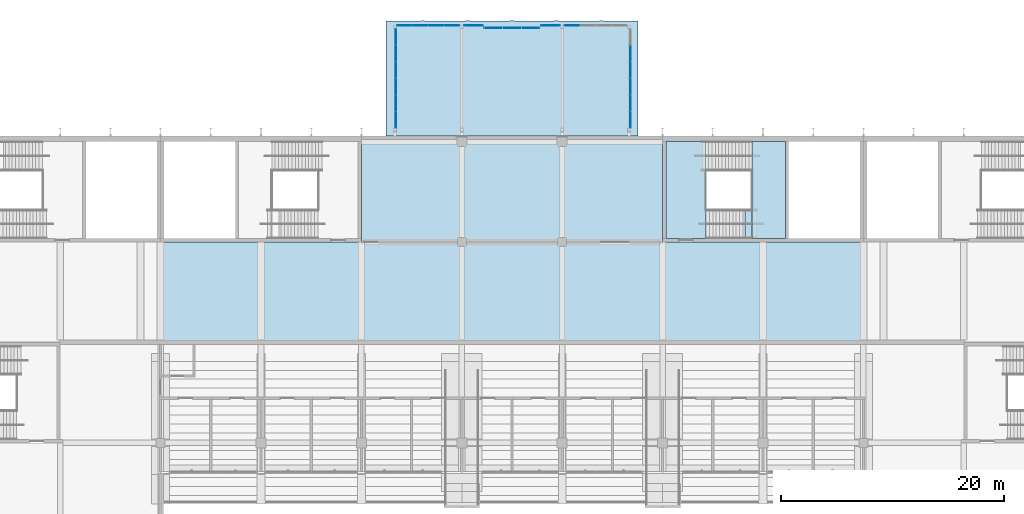
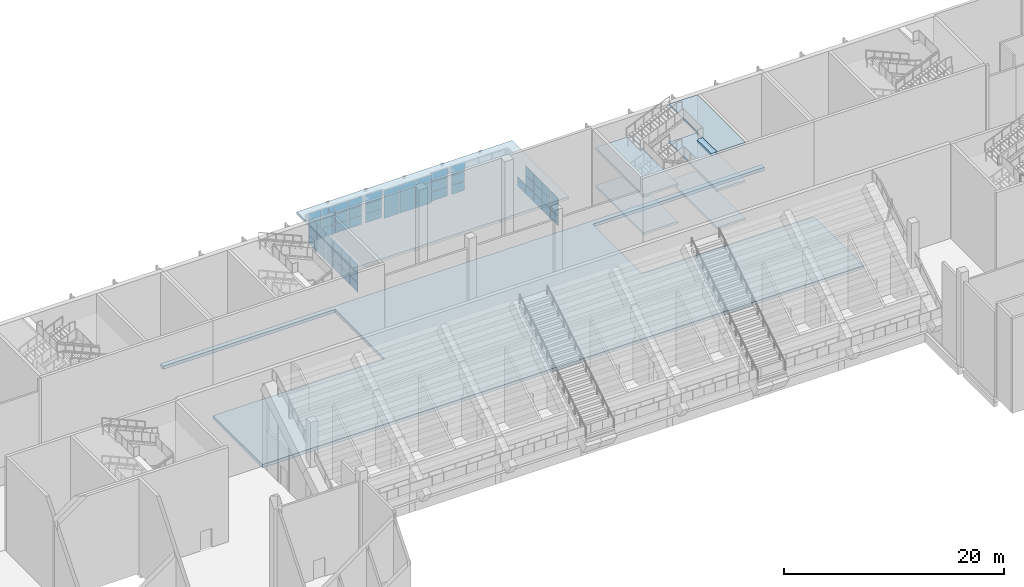
# One storey, part 78 of 182: 55 plates, 8 slabs, 8 elements without a shape of their own.
"""IFC4 building model written with IfcOpenShell, lengths in metres."""

from ifc_helpers import new_model, si_unit, direction, frame, origin, origin_2d, place, context, subcontext, project, spatial, polyline, rectangle, outline, extrude, material, layer, layer_set, type_object, element, aggregate, save


model = new_model("IFC4")

# Units and contexts
model_context = context("Model", 3, precision=1e-05, world=origin(), true_north=direction((0.0, 1.0)))
body_context = subcontext(model_context, "Body", "Model", "MODEL_VIEW")
ifc_project = project(units=[si_unit("LENGTHUNIT", "METRE"), si_unit("AREAUNIT", "SQUARE_METRE"), si_unit("VOLUMEUNIT", "CUBIC_METRE"), si_unit("PLANEANGLEUNIT", "RADIAN"), si_unit("MASSUNIT", "GRAM", prefix="KILO")], contexts=[model_context])

# Site, building, storey
site_placement = place(None, origin())
site = spatial("IfcSite", under=ifc_project, at=site_placement, CompositionType="ELEMENT")
building_placement = place(site_placement, origin())
building = spatial("IfcBuilding", under=site, at=building_placement, Name="Silverbay Arena", CompositionType="ELEMENT")
storey_placement = place(building_placement, frame((0.0, 0.0, 11.5)))
storey = spatial("IfcBuildingStorey", under=building, at=storey_placement, Name="L02", CompositionType="ELEMENT", Elevation=11.5)

# Curtain wall, plates
ifc_material_1 = material(Name="Aluminium framed curtain wall", Category="aluminium")
curtain_wall_type_1 = type_object("IfcCurtainWallType", Name="Curtain wall 5700 x 3200", PredefinedType="NOTDEFINED", material=ifc_material_1)
curtain_wall_1_placement = place(storey_placement, origin())
curtain_wall_1 = element("IfcCurtainWall", 1, at=curtain_wall_1_placement, inside=storey, type_object=curtain_wall_type_1, Name="North entrance hall N1 glazing F0", PredefinedType="NOTDEFINED")
ifc_material_2 = material(Name="Laminated glass", Category="glass")
ifc_layer_1 = layer(ifc_material_2, 0.028076171875)
ifc_layer_set_1 = layer_set([ifc_layer_1], Name="Laminated glass")
plate_type = type_object("IfcPlateType", Name="Glass panel 28", PredefinedType="CURTAIN_PANEL", material=ifc_layer_set_1)
plate_1_placement = place(storey_placement, frame((120.87744140625, 154.409912109375, 0.050048828125), z_axis=(0.0, 0.0, 1.0), x_axis=(1.0, 0.0, 0.0)))
plate_1 = element("IfcPlate", 2, at=plate_1_placement, type_object=plate_type, Name="CW43 panel 1.1", PredefinedType="CURTAIN_PANEL", context=body_context, shape_type="SweptSolid", body=[
    extrude(rectangle(XDim=1.3349609375, YDim=0.028076171875, at=origin_2d()), origin(), (0.0, 0.0, 1.0), 0.99169921875),
])
plate_2_placement = place(storey_placement, frame((120.87744140625, 154.409912109375, 1.091796875), z_axis=(0.0, 0.0, 1.0), x_axis=(1.0, 0.0, 0.0)))
plate_2 = element("IfcPlate", 3, at=plate_2_placement, type_object=plate_type, Name="CW43 panel 1.2", PredefinedType="CURTAIN_PANEL", context=body_context, shape_type="SweptSolid", body=[
    extrude(rectangle(XDim=1.3349609375, YDim=0.028076171875, at=origin_2d()), origin(), (0.0, 0.0, 1.0), 1.0166015625),
])
plate_3_placement = place(storey_placement, frame((120.87744140625, 154.409912109375, 2.158203125), z_axis=(0.0, 0.0, 1.0), x_axis=(1.0, 0.0, 0.0)))
plate_3 = element("IfcPlate", 4, at=plate_3_placement, type_object=plate_type, Name="CW43 panel 1.3", PredefinedType="CURTAIN_PANEL", context=body_context, shape_type="SweptSolid", body=[
    extrude(rectangle(XDim=1.3349609375, YDim=0.028076171875, at=origin_2d()), origin(), (0.0, 0.0, 1.0), 0.99169921875),
])
plate_4_placement = place(storey_placement, frame((122.28759765625, 154.409912109375, 0.050048828125), z_axis=(0.0, 0.0, 1.0), x_axis=(1.0, 0.0, 0.0)))
plate_4 = element("IfcPlate", 5, at=plate_4_placement, type_object=plate_type, Name="CW43 panel 2.1", PredefinedType="CURTAIN_PANEL", context=body_context, shape_type="SweptSolid", body=[
    extrude(rectangle(XDim=1.364990234375, YDim=0.028076171875, at=origin_2d()), origin(), (0.0, 0.0, 1.0), 0.99169921875),
])
plate_5_placement = place(storey_placement, frame((122.28759765625, 154.409912109375, 1.091796875), z_axis=(0.0, 0.0, 1.0), x_axis=(1.0, 0.0, 0.0)))
plate_5 = element("IfcPlate", 6, at=plate_5_placement, type_object=plate_type, Name="CW43 panel 2.2", PredefinedType="CURTAIN_PANEL", context=body_context, shape_type="SweptSolid", body=[
    extrude(rectangle(XDim=1.364990234375, YDim=0.028076171875, at=origin_2d()), origin(), (0.0, 0.0, 1.0), 1.0166015625),
])
plate_6_placement = place(storey_placement, frame((122.28759765625, 154.409912109375, 2.158203125), z_axis=(0.0, 0.0, 1.0), x_axis=(1.0, 0.0, 0.0)))
plate_6 = element("IfcPlate", 7, at=plate_6_placement, type_object=plate_type, Name="CW43 panel 2.3", PredefinedType="CURTAIN_PANEL", context=body_context, shape_type="SweptSolid", body=[
    extrude(rectangle(XDim=1.364990234375, YDim=0.028076171875, at=origin_2d()), origin(), (0.0, 0.0, 1.0), 0.99169921875),
])
plate_7_placement = place(storey_placement, frame((123.71240234375, 154.409912109375, 0.050048828125), z_axis=(0.0, 0.0, 1.0), x_axis=(1.0, 0.0, 0.0)))
plate_7 = element("IfcPlate", 8, at=plate_7_placement, type_object=plate_type, Name="CW43 panel 3.1", PredefinedType="CURTAIN_PANEL", context=body_context, shape_type="SweptSolid", body=[
    extrude(rectangle(XDim=1.364990234375, YDim=0.028076171875, at=origin_2d()), origin(), (0.0, 0.0, 1.0), 0.99169921875),
])
plate_8_placement = place(storey_placement, frame((123.71240234375, 154.409912109375, 1.091796875), z_axis=(0.0, 0.0, 1.0), x_axis=(1.0, 0.0, 0.0)))
plate_8 = element("IfcPlate", 9, at=plate_8_placement, type_object=plate_type, Name="CW43 panel 3.2", PredefinedType="CURTAIN_PANEL", context=body_context, shape_type="SweptSolid", body=[
    extrude(rectangle(XDim=1.364990234375, YDim=0.028076171875, at=origin_2d()), origin(), (0.0, 0.0, 1.0), 1.0166015625),
])
plate_9_placement = place(storey_placement, frame((123.71240234375, 154.409912109375, 2.158203125), z_axis=(0.0, 0.0, 1.0), x_axis=(1.0, 0.0, 0.0)))
plate_9 = element("IfcPlate", 10, at=plate_9_placement, type_object=plate_type, Name="CW43 panel 3.3", PredefinedType="CURTAIN_PANEL", context=body_context, shape_type="SweptSolid", body=[
    extrude(rectangle(XDim=1.364990234375, YDim=0.028076171875, at=origin_2d()), origin(), (0.0, 0.0, 1.0), 0.99169921875),
])
plate_10_placement = place(storey_placement, frame((125.12255859375, 154.409912109375, 0.050048828125), z_axis=(0.0, 0.0, 1.0), x_axis=(1.0, 0.0, 0.0)))
plate_10 = element("IfcPlate", 11, at=plate_10_placement, type_object=plate_type, Name="CW43 panel 4.1", PredefinedType="CURTAIN_PANEL", context=body_context, shape_type="SweptSolid", body=[
    extrude(rectangle(XDim=1.3349609375, YDim=0.028076171875, at=origin_2d()), origin(), (0.0, 0.0, 1.0), 0.99169921875),
])
plate_11_placement = place(storey_placement, frame((125.12255859375, 154.409912109375, 1.091796875), z_axis=(0.0, 0.0, 1.0), x_axis=(1.0, 0.0, 0.0)))
plate_11 = element("IfcPlate", 12, at=plate_11_placement, type_object=plate_type, Name="CW43 panel 4.2", PredefinedType="CURTAIN_PANEL", context=body_context, shape_type="SweptSolid", body=[
    extrude(rectangle(XDim=1.3349609375, YDim=0.028076171875, at=origin_2d()), origin(), (0.0, 0.0, 1.0), 1.0166015625),
])
plate_12_placement = place(storey_placement, frame((125.12255859375, 154.409912109375, 2.158203125), z_axis=(0.0, 0.0, 1.0), x_axis=(1.0, 0.0, 0.0)))
plate_12 = element("IfcPlate", 13, at=plate_12_placement, type_object=plate_type, Name="CW43 panel 4.3", PredefinedType="CURTAIN_PANEL", context=body_context, shape_type="SweptSolid", body=[
    extrude(rectangle(XDim=1.3349609375, YDim=0.028076171875, at=origin_2d()), origin(), (0.0, 0.0, 1.0), 0.99169921875),
])
aggregate(curtain_wall_1, [plate_1, plate_2, plate_3, plate_4, plate_5, plate_6, plate_7, plate_8, plate_9, plate_10, plate_11, plate_12])

ifc_material_3 = material(Name="Aluminium framed curtain wall", Category="aluminium")
curtain_wall_type_2 = type_object("IfcCurtainWallType", Name="Curtain wall 1800 x 3200", PredefinedType="NOTDEFINED", material=ifc_material_3)
curtain_wall_2_placement = place(storey_placement, origin())
curtain_wall_2 = element("IfcCurtainWall", 14, at=curtain_wall_2_placement, inside=storey, type_object=curtain_wall_type_2, Name="North entrance hall N1 glazing F1a", PredefinedType="NOTDEFINED")
plate_13_placement = place(storey_placement, frame((127.050048828125, 154.409912109375, 0.050048828125), z_axis=(0.0, 0.0, 1.0), x_axis=(1.0, 0.0, 0.0)))
plate_13 = element("IfcPlate", 15, at=plate_13_placement, type_object=plate_type, Name="CW45 panel 1.1", PredefinedType="CURTAIN_PANEL", context=body_context, shape_type="SweptSolid", body=[
    extrude(rectangle(XDim=1.679931640625, YDim=0.028076171875, at=origin_2d()), origin(), (0.0, 0.0, 1.0), 0.99169921875),
])
plate_14_placement = place(storey_placement, frame((127.050048828125, 154.409912109375, 1.091796875), z_axis=(0.0, 0.0, 1.0), x_axis=(1.0, 0.0, 0.0)))
plate_14 = element("IfcPlate", 16, at=plate_14_placement, type_object=plate_type, Name="CW45 panel 1.2", PredefinedType="CURTAIN_PANEL", context=body_context, shape_type="SweptSolid", body=[
    extrude(rectangle(XDim=1.679931640625, YDim=0.028076171875, at=origin_2d()), origin(), (0.0, 0.0, 1.0), 1.0166015625),
])
plate_15_placement = place(storey_placement, frame((127.050048828125, 154.409912109375, 2.158203125), z_axis=(0.0, 0.0, 1.0), x_axis=(1.0, 0.0, 0.0)))
plate_15 = element("IfcPlate", 17, at=plate_15_placement, type_object=plate_type, Name="CW45 panel 1.3", PredefinedType="CURTAIN_PANEL", context=body_context, shape_type="SweptSolid", body=[
    extrude(rectangle(XDim=1.679931640625, YDim=0.028076171875, at=origin_2d()), origin(), (0.0, 0.0, 1.0), 0.99169921875),
])
aggregate(curtain_wall_2, [plate_13, plate_14, plate_15])

curtain_wall_3_placement = place(storey_placement, origin())
curtain_wall_3 = element("IfcCurtainWall", 18, at=curtain_wall_3_placement, inside=storey, type_object=curtain_wall_type_2, Name="North entrance hall N1 glazing F1b", PredefinedType="NOTDEFINED")
plate_16_placement = place(storey_placement, frame((133.949951171875, 154.409912109375, 0.050048828125), z_axis=(0.0, 0.0, 1.0), x_axis=(1.0, 0.0, 0.0)))
plate_16 = element("IfcPlate", 19, at=plate_16_placement, type_object=plate_type, Name="CW45 panel 1.1", PredefinedType="CURTAIN_PANEL", context=body_context, shape_type="SweptSolid", body=[
    extrude(rectangle(XDim=1.679931640625, YDim=0.028076171875, at=origin_2d()), origin(), (0.0, 0.0, 1.0), 0.99169921875),
])
plate_17_placement = place(storey_placement, frame((133.949951171875, 154.409912109375, 1.091796875), z_axis=(0.0, 0.0, 1.0), x_axis=(1.0, 0.0, 0.0)))
plate_17 = element("IfcPlate", 20, at=plate_17_placement, type_object=plate_type, Name="CW45 panel 1.2", PredefinedType="CURTAIN_PANEL", context=body_context, shape_type="SweptSolid", body=[
    extrude(rectangle(XDim=1.679931640625, YDim=0.028076171875, at=origin_2d()), origin(), (0.0, 0.0, 1.0), 1.0166015625),
])
plate_18_placement = place(storey_placement, frame((133.949951171875, 154.409912109375, 2.158203125), z_axis=(0.0, 0.0, 1.0), x_axis=(1.0, 0.0, 0.0)))
plate_18 = element("IfcPlate", 21, at=plate_18_placement, type_object=plate_type, Name="CW45 panel 1.3", PredefinedType="CURTAIN_PANEL", context=body_context, shape_type="SweptSolid", body=[
    extrude(rectangle(XDim=1.679931640625, YDim=0.028076171875, at=origin_2d()), origin(), (0.0, 0.0, 1.0), 0.99169921875),
])
aggregate(curtain_wall_3, [plate_16, plate_17, plate_18])

curtain_wall_4_placement = place(storey_placement, origin())
curtain_wall_4 = element("IfcCurtainWall", 22, at=curtain_wall_4_placement, inside=storey, type_object=curtain_wall_type_1, Name="North entrance hall N1 glazing F2", PredefinedType="NOTDEFINED")
plate_19_placement = place(storey_placement, frame((135.87744140625, 154.409912109375, 0.050048828125), z_axis=(0.0, 0.0, 1.0), x_axis=(1.0, 0.0, 0.0)))
plate_19 = element("IfcPlate", 23, at=plate_19_placement, type_object=plate_type, Name="CW43 panel 1.1", PredefinedType="CURTAIN_PANEL", context=body_context, shape_type="SweptSolid", body=[
    extrude(rectangle(XDim=1.3349609375, YDim=0.028076171875, at=origin_2d()), origin(), (0.0, 0.0, 1.0), 0.99169921875),
])
plate_20_placement = place(storey_placement, frame((135.87744140625, 154.409912109375, 1.091796875), z_axis=(0.0, 0.0, 1.0), x_axis=(1.0, 0.0, 0.0)))
plate_20 = element("IfcPlate", 24, at=plate_20_placement, type_object=plate_type, Name="CW43 panel 1.2", PredefinedType="CURTAIN_PANEL", context=body_context, shape_type="SweptSolid", body=[
    extrude(rectangle(XDim=1.3349609375, YDim=0.028076171875, at=origin_2d()), origin(), (0.0, 0.0, 1.0), 1.0166015625),
])
plate_21_placement = place(storey_placement, frame((135.87744140625, 154.409912109375, 2.158203125), z_axis=(0.0, 0.0, 1.0), x_axis=(1.0, 0.0, 0.0)))
plate_21 = element("IfcPlate", 25, at=plate_21_placement, type_object=plate_type, Name="CW43 panel 1.3", PredefinedType="CURTAIN_PANEL", context=body_context, shape_type="SweptSolid", body=[
    extrude(rectangle(XDim=1.3349609375, YDim=0.028076171875, at=origin_2d()), origin(), (0.0, 0.0, 1.0), 0.99169921875),
])
aggregate(curtain_wall_4, [plate_19, plate_20, plate_21])

ifc_material_4 = material(Name="Aluminium framed curtain wall", Category="aluminium")
curtain_wall_type_3 = type_object("IfcCurtainWallType", Name="Curtain wall 8950 x 3200", PredefinedType="NOTDEFINED", material=ifc_material_4)
curtain_wall_5_placement = place(storey_placement, origin())
curtain_wall_5 = element("IfcCurtainWall", 26, at=curtain_wall_5_placement, inside=storey, type_object=curtain_wall_type_3, Name="North entrance hall N1 glazing SA", PredefinedType="NOTDEFINED")
plate_22_placement = place(storey_placement, frame((120.110107421875, 153.38916015625, 0.050048828125), z_axis=(0.0, 0.0, 1.0), x_axis=(0.0, -1.0, 0.0)))
plate_22 = element("IfcPlate", 27, at=plate_22_placement, type_object=plate_type, Name="CW47 panel 1.1", PredefinedType="CURTAIN_PANEL", context=body_context, shape_type="SweptSolid", body=[
    extrude(rectangle(XDim=1.401611328125, YDim=0.028076171875, at=origin_2d()), origin(), (0.0, 0.0, 1.0), 0.99169921875),
])
plate_23_placement = place(storey_placement, frame((120.110107421875, 153.38916015625, 1.091796875), z_axis=(0.0, 0.0, 1.0), x_axis=(0.0, -1.0, 0.0)))
plate_23 = element("IfcPlate", 28, at=plate_23_placement, type_object=plate_type, Name="CW47 panel 1.2", PredefinedType="CURTAIN_PANEL", context=body_context, shape_type="SweptSolid", body=[
    extrude(rectangle(XDim=1.401611328125, YDim=0.028076171875, at=origin_2d()), origin(), (0.0, 0.0, 1.0), 1.0166015625),
])
plate_24_placement = place(storey_placement, frame((120.110107421875, 153.38916015625, 2.158203125), z_axis=(0.0, 0.0, 1.0), x_axis=(0.0, -1.0, 0.0)))
plate_24 = element("IfcPlate", 29, at=plate_24_placement, type_object=plate_type, Name="CW47 panel 1.3", PredefinedType="CURTAIN_PANEL", context=body_context, shape_type="SweptSolid", body=[
    extrude(rectangle(XDim=1.401611328125, YDim=0.028076171875, at=origin_2d()), origin(), (0.0, 0.0, 1.0), 0.99169921875),
])
plate_25_placement = place(storey_placement, frame((120.110107421875, 151.91259765625, 0.050048828125), z_axis=(0.0, 0.0, 1.0), x_axis=(0.0, -1.0, 0.0)))
plate_25 = element("IfcPlate", 30, at=plate_25_placement, type_object=plate_type, Name="CW47 panel 2.1", PredefinedType="CURTAIN_PANEL", context=body_context, shape_type="SweptSolid", body=[
    extrude(rectangle(XDim=1.431640625, YDim=0.028076171875, at=origin_2d()), origin(), (0.0, 0.0, 1.0), 0.99169921875),
])
plate_26_placement = place(storey_placement, frame((120.110107421875, 151.91259765625, 1.091796875), z_axis=(0.0, 0.0, 1.0), x_axis=(0.0, -1.0, 0.0)))
plate_26 = element("IfcPlate", 31, at=plate_26_placement, type_object=plate_type, Name="CW47 panel 2.2", PredefinedType="CURTAIN_PANEL", context=body_context, shape_type="SweptSolid", body=[
    extrude(rectangle(XDim=1.431640625, YDim=0.028076171875, at=origin_2d()), origin(), (0.0, 0.0, 1.0), 1.0166015625),
])
plate_27_placement = place(storey_placement, frame((120.110107421875, 151.91259765625, 2.158203125), z_axis=(0.0, 0.0, 1.0), x_axis=(0.0, -1.0, 0.0)))
plate_27 = element("IfcPlate", 32, at=plate_27_placement, type_object=plate_type, Name="CW47 panel 2.3", PredefinedType="CURTAIN_PANEL", context=body_context, shape_type="SweptSolid", body=[
    extrude(rectangle(XDim=1.431640625, YDim=0.028076171875, at=origin_2d()), origin(), (0.0, 0.0, 1.0), 0.99169921875),
])
plate_28_placement = place(storey_placement, frame((120.110107421875, 150.4208984375, 0.050048828125), z_axis=(0.0, 0.0, 1.0), x_axis=(0.0, -1.0, 0.0)))
plate_28 = element("IfcPlate", 33, at=plate_28_placement, type_object=plate_type, Name="CW47 panel 3.1", PredefinedType="CURTAIN_PANEL", context=body_context, shape_type="SweptSolid", body=[
    extrude(rectangle(XDim=1.431640625, YDim=0.028076171875, at=origin_2d()), origin(), (0.0, 0.0, 1.0), 0.99169921875),
])
plate_29_placement = place(storey_placement, frame((120.110107421875, 150.4208984375, 1.091796875), z_axis=(0.0, 0.0, 1.0), x_axis=(0.0, -1.0, 0.0)))
plate_29 = element("IfcPlate", 34, at=plate_29_placement, type_object=plate_type, Name="CW47 panel 3.2", PredefinedType="CURTAIN_PANEL", context=body_context, shape_type="SweptSolid", body=[
    extrude(rectangle(XDim=1.431640625, YDim=0.028076171875, at=origin_2d()), origin(), (0.0, 0.0, 1.0), 1.0166015625),
])
plate_30_placement = place(storey_placement, frame((120.110107421875, 150.4208984375, 2.158203125), z_axis=(0.0, 0.0, 1.0), x_axis=(0.0, -1.0, 0.0)))
plate_30 = element("IfcPlate", 35, at=plate_30_placement, type_object=plate_type, Name="CW47 panel 3.3", PredefinedType="CURTAIN_PANEL", context=body_context, shape_type="SweptSolid", body=[
    extrude(rectangle(XDim=1.431640625, YDim=0.028076171875, at=origin_2d()), origin(), (0.0, 0.0, 1.0), 0.99169921875),
])
plate_31_placement = place(storey_placement, frame((120.110107421875, 148.92919921875, 0.050048828125), z_axis=(0.0, 0.0, 1.0), x_axis=(0.0, -1.0, 0.0)))
plate_31 = element("IfcPlate", 36, at=plate_31_placement, type_object=plate_type, Name="CW47 panel 4.1", PredefinedType="CURTAIN_PANEL", context=body_context, shape_type="SweptSolid", body=[
    extrude(rectangle(XDim=1.431640625, YDim=0.028076171875, at=origin_2d()), origin(), (0.0, 0.0, 1.0), 0.99169921875),
])
plate_32_placement = place(storey_placement, frame((120.110107421875, 148.92919921875, 1.091796875), z_axis=(0.0, 0.0, 1.0), x_axis=(0.0, -1.0, 0.0)))
plate_32 = element("IfcPlate", 37, at=plate_32_placement, type_object=plate_type, Name="CW47 panel 4.2", PredefinedType="CURTAIN_PANEL", context=body_context, shape_type="SweptSolid", body=[
    extrude(rectangle(XDim=1.431640625, YDim=0.028076171875, at=origin_2d()), origin(), (0.0, 0.0, 1.0), 1.0166015625),
])
plate_33_placement = place(storey_placement, frame((120.110107421875, 148.92919921875, 2.158203125), z_axis=(0.0, 0.0, 1.0), x_axis=(0.0, -1.0, 0.0)))
plate_33 = element("IfcPlate", 38, at=plate_33_placement, type_object=plate_type, Name="CW47 panel 4.3", PredefinedType="CURTAIN_PANEL", context=body_context, shape_type="SweptSolid", body=[
    extrude(rectangle(XDim=1.431640625, YDim=0.028076171875, at=origin_2d()), origin(), (0.0, 0.0, 1.0), 0.99169921875),
])
plate_34_placement = place(storey_placement, frame((120.110107421875, 147.4375, 0.050048828125), z_axis=(0.0, 0.0, 1.0), x_axis=(0.0, -1.0, 0.0)))
plate_34 = element("IfcPlate", 39, at=plate_34_placement, type_object=plate_type, Name="CW47 panel 5.1", PredefinedType="CURTAIN_PANEL", context=body_context, shape_type="SweptSolid", body=[
    extrude(rectangle(XDim=1.431640625, YDim=0.028076171875, at=origin_2d()), origin(), (0.0, 0.0, 1.0), 0.99169921875),
])
plate_35_placement = place(storey_placement, frame((120.110107421875, 147.4375, 1.091796875), z_axis=(0.0, 0.0, 1.0), x_axis=(0.0, -1.0, 0.0)))
plate_35 = element("IfcPlate", 40, at=plate_35_placement, type_object=plate_type, Name="CW47 panel 5.2", PredefinedType="CURTAIN_PANEL", context=body_context, shape_type="SweptSolid", body=[
    extrude(rectangle(XDim=1.431640625, YDim=0.028076171875, at=origin_2d()), origin(), (0.0, 0.0, 1.0), 1.0166015625),
])
plate_36_placement = place(storey_placement, frame((120.110107421875, 147.4375, 2.158203125), z_axis=(0.0, 0.0, 1.0), x_axis=(0.0, -1.0, 0.0)))
plate_36 = element("IfcPlate", 41, at=plate_36_placement, type_object=plate_type, Name="CW47 panel 5.3", PredefinedType="CURTAIN_PANEL", context=body_context, shape_type="SweptSolid", body=[
    extrude(rectangle(XDim=1.431640625, YDim=0.028076171875, at=origin_2d()), origin(), (0.0, 0.0, 1.0), 0.99169921875),
])
plate_37_placement = place(storey_placement, frame((120.110107421875, 145.9609375, 0.050048828125), z_axis=(0.0, 0.0, 1.0), x_axis=(0.0, -1.0, 0.0)))
plate_37 = element("IfcPlate", 42, at=plate_37_placement, type_object=plate_type, Name="CW47 panel 6.1", PredefinedType="CURTAIN_PANEL", context=body_context, shape_type="SweptSolid", body=[
    extrude(rectangle(XDim=1.401611328125, YDim=0.028076171875, at=origin_2d()), origin(), (0.0, 0.0, 1.0), 0.99169921875),
])
plate_38_placement = place(storey_placement, frame((120.110107421875, 145.9609375, 1.091796875), z_axis=(0.0, 0.0, 1.0), x_axis=(0.0, -1.0, 0.0)))
plate_38 = element("IfcPlate", 43, at=plate_38_placement, type_object=plate_type, Name="CW47 panel 6.2", PredefinedType="CURTAIN_PANEL", context=body_context, shape_type="SweptSolid", body=[
    extrude(rectangle(XDim=1.401611328125, YDim=0.028076171875, at=origin_2d()), origin(), (0.0, 0.0, 1.0), 1.0166015625),
])
plate_39_placement = place(storey_placement, frame((120.110107421875, 145.9609375, 2.158203125), z_axis=(0.0, 0.0, 1.0), x_axis=(0.0, -1.0, 0.0)))
plate_39 = element("IfcPlate", 44, at=plate_39_placement, type_object=plate_type, Name="CW47 panel 6.3", PredefinedType="CURTAIN_PANEL", context=body_context, shape_type="SweptSolid", body=[
    extrude(rectangle(XDim=1.401611328125, YDim=0.028076171875, at=origin_2d()), origin(), (0.0, 0.0, 1.0), 0.99169921875),
])
aggregate(curtain_wall_5, [plate_22, plate_23, plate_24, plate_25, plate_26, plate_27, plate_28, plate_29, plate_30, plate_31, plate_32, plate_33, plate_34, plate_35, plate_36, plate_37, plate_38, plate_39])

curtain_wall_6_placement = place(storey_placement, origin())
curtain_wall_6 = element("IfcCurtainWall", 45, at=curtain_wall_6_placement, inside=storey, type_object=curtain_wall_type_3, Name="North entrance hall N1 glazing SB", PredefinedType="NOTDEFINED")
plate_40_placement = place(storey_placement, frame((141.110107421875, 151.91259765625, 0.050048828125), z_axis=(0.0, 0.0, 1.0), x_axis=(0.0, -1.0, 0.0)))
plate_40 = element("IfcPlate", 46, at=plate_40_placement, type_object=plate_type, Name="CW47 panel 2.1", PredefinedType="CURTAIN_PANEL", context=body_context, shape_type="SweptSolid", body=[
    extrude(rectangle(XDim=1.431640625, YDim=0.028076171875, at=origin_2d()), origin(), (0.0, 0.0, 1.0), 0.99169921875),
])
plate_41_placement = place(storey_placement, frame((141.110107421875, 150.4208984375, 0.050048828125), z_axis=(0.0, 0.0, 1.0), x_axis=(0.0, -1.0, 0.0)))
plate_41 = element("IfcPlate", 47, at=plate_41_placement, type_object=plate_type, Name="CW47 panel 3.1", PredefinedType="CURTAIN_PANEL", context=body_context, shape_type="SweptSolid", body=[
    extrude(rectangle(XDim=1.431640625, YDim=0.028076171875, at=origin_2d()), origin(), (0.0, 0.0, 1.0), 0.99169921875),
])
plate_42_placement = place(storey_placement, frame((141.110107421875, 150.4208984375, 1.091796875), z_axis=(0.0, 0.0, 1.0), x_axis=(0.0, -1.0, 0.0)))
plate_42 = element("IfcPlate", 48, at=plate_42_placement, type_object=plate_type, Name="CW47 panel 3.2", PredefinedType="CURTAIN_PANEL", context=body_context, shape_type="SweptSolid", body=[
    extrude(rectangle(XDim=1.431640625, YDim=0.028076171875, at=origin_2d()), origin(), (0.0, 0.0, 1.0), 1.0166015625),
])
plate_43_placement = place(storey_placement, frame((141.110107421875, 150.4208984375, 2.158203125), z_axis=(0.0, 0.0, 1.0), x_axis=(0.0, -1.0, 0.0)))
plate_43 = element("IfcPlate", 49, at=plate_43_placement, type_object=plate_type, Name="CW47 panel 3.3", PredefinedType="CURTAIN_PANEL", context=body_context, shape_type="SweptSolid", body=[
    extrude(rectangle(XDim=1.431640625, YDim=0.028076171875, at=origin_2d()), origin(), (0.0, 0.0, 1.0), 0.99169921875),
])
plate_44_placement = place(storey_placement, frame((141.110107421875, 148.92919921875, 0.050048828125), z_axis=(0.0, 0.0, 1.0), x_axis=(0.0, -1.0, 0.0)))
plate_44 = element("IfcPlate", 50, at=plate_44_placement, type_object=plate_type, Name="CW47 panel 4.1", PredefinedType="CURTAIN_PANEL", context=body_context, shape_type="SweptSolid", body=[
    extrude(rectangle(XDim=1.431640625, YDim=0.028076171875, at=origin_2d()), origin(), (0.0, 0.0, 1.0), 0.99169921875),
])
plate_45_placement = place(storey_placement, frame((141.110107421875, 148.92919921875, 1.091796875), z_axis=(0.0, 0.0, 1.0), x_axis=(0.0, -1.0, 0.0)))
plate_45 = element("IfcPlate", 51, at=plate_45_placement, type_object=plate_type, Name="CW47 panel 4.2", PredefinedType="CURTAIN_PANEL", context=body_context, shape_type="SweptSolid", body=[
    extrude(rectangle(XDim=1.431640625, YDim=0.028076171875, at=origin_2d()), origin(), (0.0, 0.0, 1.0), 1.0166015625),
])
plate_46_placement = place(storey_placement, frame((141.110107421875, 148.92919921875, 2.158203125), z_axis=(0.0, 0.0, 1.0), x_axis=(0.0, -1.0, 0.0)))
plate_46 = element("IfcPlate", 52, at=plate_46_placement, type_object=plate_type, Name="CW47 panel 4.3", PredefinedType="CURTAIN_PANEL", context=body_context, shape_type="SweptSolid", body=[
    extrude(rectangle(XDim=1.431640625, YDim=0.028076171875, at=origin_2d()), origin(), (0.0, 0.0, 1.0), 0.99169921875),
])
plate_47_placement = place(storey_placement, frame((141.110107421875, 147.4375, 0.050048828125), z_axis=(0.0, 0.0, 1.0), x_axis=(0.0, -1.0, 0.0)))
plate_47 = element("IfcPlate", 53, at=plate_47_placement, type_object=plate_type, Name="CW47 panel 5.1", PredefinedType="CURTAIN_PANEL", context=body_context, shape_type="SweptSolid", body=[
    extrude(rectangle(XDim=1.431640625, YDim=0.028076171875, at=origin_2d()), origin(), (0.0, 0.0, 1.0), 0.99169921875),
])
plate_48_placement = place(storey_placement, frame((141.110107421875, 147.4375, 1.091796875), z_axis=(0.0, 0.0, 1.0), x_axis=(0.0, -1.0, 0.0)))
plate_48 = element("IfcPlate", 54, at=plate_48_placement, type_object=plate_type, Name="CW47 panel 5.2", PredefinedType="CURTAIN_PANEL", context=body_context, shape_type="SweptSolid", body=[
    extrude(rectangle(XDim=1.431640625, YDim=0.028076171875, at=origin_2d()), origin(), (0.0, 0.0, 1.0), 1.0166015625),
])
plate_49_placement = place(storey_placement, frame((141.110107421875, 147.4375, 2.158203125), z_axis=(0.0, 0.0, 1.0), x_axis=(0.0, -1.0, 0.0)))
plate_49 = element("IfcPlate", 55, at=plate_49_placement, type_object=plate_type, Name="CW47 panel 5.3", PredefinedType="CURTAIN_PANEL", context=body_context, shape_type="SweptSolid", body=[
    extrude(rectangle(XDim=1.431640625, YDim=0.028076171875, at=origin_2d()), origin(), (0.0, 0.0, 1.0), 0.99169921875),
])
plate_50_placement = place(storey_placement, frame((141.110107421875, 145.9609375, 0.050048828125), z_axis=(0.0, 0.0, 1.0), x_axis=(0.0, -1.0, 0.0)))
plate_50 = element("IfcPlate", 56, at=plate_50_placement, type_object=plate_type, Name="CW47 panel 6.1", PredefinedType="CURTAIN_PANEL", context=body_context, shape_type="SweptSolid", body=[
    extrude(rectangle(XDim=1.401611328125, YDim=0.028076171875, at=origin_2d()), origin(), (0.0, 0.0, 1.0), 0.99169921875),
])
plate_51_placement = place(storey_placement, frame((141.110107421875, 145.9609375, 1.091796875), z_axis=(0.0, 0.0, 1.0), x_axis=(0.0, -1.0, 0.0)))
plate_51 = element("IfcPlate", 57, at=plate_51_placement, type_object=plate_type, Name="CW47 panel 6.2", PredefinedType="CURTAIN_PANEL", context=body_context, shape_type="SweptSolid", body=[
    extrude(rectangle(XDim=1.401611328125, YDim=0.028076171875, at=origin_2d()), origin(), (0.0, 0.0, 1.0), 1.0166015625),
])
plate_52_placement = place(storey_placement, frame((141.110107421875, 145.9609375, 2.158203125), z_axis=(0.0, 0.0, 1.0), x_axis=(0.0, -1.0, 0.0)))
plate_52 = element("IfcPlate", 58, at=plate_52_placement, type_object=plate_type, Name="CW47 panel 6.3", PredefinedType="CURTAIN_PANEL", context=body_context, shape_type="SweptSolid", body=[
    extrude(rectangle(XDim=1.401611328125, YDim=0.028076171875, at=origin_2d()), origin(), (0.0, 0.0, 1.0), 0.99169921875),
])
aggregate(curtain_wall_6, [plate_40, plate_41, plate_42, plate_43, plate_44, plate_45, plate_46, plate_47, plate_48, plate_49, plate_50, plate_51, plate_52])

ifc_material_5 = material(Name="Aluminium framed curtain wall", Category="aluminium")
curtain_wall_type_4 = type_object("IfcCurtainWallType", Name="Curtain wall 5100 x 3200", PredefinedType="NOTDEFINED", material=ifc_material_5)
curtain_wall_7_placement = place(storey_placement, origin())
curtain_wall_7 = element("IfcCurtainWall", 59, at=curtain_wall_7_placement, inside=storey, type_object=curtain_wall_type_4, Name="North entrance hall N1 glazing over the door", PredefinedType="NOTDEFINED")
plate_53_placement = place(storey_placement, frame((132.18505859375, 154.18994140625, 0.050048828125), z_axis=(0.0, 0.0, 1.0), x_axis=(-1.0, 0.0, 0.0)))
plate_53 = element("IfcPlate", 60, at=plate_53_placement, type_object=plate_type, Name="CW48 panel 1.1", PredefinedType="CURTAIN_PANEL", context=body_context, shape_type="SweptSolid", body=[
    extrude(rectangle(XDim=1.610107421875, YDim=0.028076171875, at=origin_2d()), origin(), (0.0, 0.0, 1.0), 3.10009765625),
])
plate_54_placement = place(storey_placement, frame((130.5, 154.18994140625, 0.050048828125), z_axis=(0.0, 0.0, 1.0), x_axis=(-1.0, 0.0, 0.0)))
plate_54 = element("IfcPlate", 61, at=plate_54_placement, type_object=plate_type, Name="CW48 panel 2.1", PredefinedType="CURTAIN_PANEL", context=body_context, shape_type="SweptSolid", body=[
    extrude(rectangle(XDim=1.639892578125, YDim=0.028076171875, at=origin_2d()), origin(), (0.0, 0.0, 1.0), 3.10009765625),
])
plate_55_placement = place(storey_placement, frame((128.81494140625, 154.18994140625, 0.050048828125), z_axis=(0.0, 0.0, 1.0), x_axis=(-1.0, 0.0, 0.0)))
plate_55 = element("IfcPlate", 62, at=plate_55_placement, type_object=plate_type, Name="CW48 panel 3.1", PredefinedType="CURTAIN_PANEL", context=body_context, shape_type="SweptSolid", body=[
    extrude(rectangle(XDim=1.610107421875, YDim=0.028076171875, at=origin_2d()), origin(), (0.0, 0.0, 1.0), 3.10009765625),
])
aggregate(curtain_wall_7, [plate_53, plate_54, plate_55])

# Slabs
ifc_material_6 = material(Name="Concrete Grade C45", Category="concrete")
ifc_layer_2 = layer(ifc_material_6, 0.300048828125)
ifc_layer_set_2 = layer_set([ifc_layer_2], Name="Concrete Grade C45")
slab_type_1 = type_object("IfcSlabType", Name="Hall roof slab 300", PredefinedType="ROOF", material=ifc_layer_set_2)
slab_1_placement = place(storey_placement, frame((0.0, 0.0, 3.199951171875)))
element("IfcSlab", 63, at=slab_1_placement, inside=storey, type_object=slab_type_1, Name="North entrance hall N1 roof", PredefinedType="ROOF", context=body_context, shape_type="SweptSolid", body=[
    extrude(outline(polyline([(126.39990234375, 144.449951171875), (125.60009765625, 144.449951171875), (125.60009765625, 144.5), (119.199951171875, 144.5), (119.199951171875, 154.800048828125), (141.800048828125, 154.800048828125), (141.800048828125, 144.5), (135.39990234375, 144.5), (135.39990234375, 144.449951171875), (134.60009765625, 144.449951171875), (134.60009765625, 144.5), (126.39990234375, 144.5), (126.39990234375, 144.449951171875)])), origin(), (0.0, 0.0, 1.0), 0.300048828125),
])
ifc_material_7 = material(Name="Concrete Grade C45", Category="concrete")
ifc_layer_3 = layer(ifc_material_7, 0.35009765625)
ifc_layer_set_3 = layer_set([ifc_layer_3], Name="Concrete Grade C45")
slab_type_2 = type_object("IfcSlabType", Name="RC floor slab 350", PredefinedType="FLOOR", material=ifc_layer_set_3)
slab_2_placement = place(storey_placement, frame((0.0, 0.0, -0.35009765625)))
element("IfcSlab", 64, at=slab_2_placement, inside=storey, type_object=slab_type_2, Name="Floor slab L02 unit 13", PredefinedType="FLOOR", context=body_context, shape_type="SweptSolid", body=[
    extrude(outline(polyline([(117.0, 135.0), (117.0, 144.0), (99.0, 144.0), (99.0, 144.5), (162.0, 144.5), (162.0, 144.0), (144.0, 144.0), (144.0, 135.0), (162.0, 135.0), (162.0, 126.02490234375), (99.0, 126.02490234375), (99.0, 135.0), (117.0, 135.0)])), origin(), (0.0, 0.0, 1.0), 0.35009765625),
])

# Stair, slabs
ifc_material_8 = material(Name="Concrete Grade C45", Category="concrete")
stair_type = type_object("IfcStairType", Name="Stair 2600 wide 80 risers 131.2 x 300", PredefinedType="HALF_TURN_STAIR", material=ifc_material_8)
stair_placement = place(storey_placement, origin())
stair = element("IfcStair", 65, at=stair_placement, inside=storey, type_object=stair_type, Name="Stair ST-N3 L02 to L03", PredefinedType="HALF_TURN_STAIR")
ifc_material_9 = material(Name="Concrete Grade C45", Category="concrete")
ifc_layer_4 = layer(ifc_material_9, 0.25)
ifc_layer_set_4 = layer_set([ifc_layer_4], Name="Concrete Grade C45")
slab_type_3 = type_object("IfcSlabType", Name="Stair arrival platform RC 250", PredefinedType="FLOOR", material=ifc_layer_set_4)
slab_3_placement = place(storey_placement, frame((0.0, 0.0, 10.25)))
slab_3 = element("IfcSlab", 66, at=slab_3_placement, type_object=slab_type_3, Name="Stair ST-N3 L02 to L03 arrival platform 6", PredefinedType="FLOOR", context=body_context, shape_type="SweptSolid", body=[
    extrude(outline(polyline([(151.39990234375, 135.300048828125), (152.02587890625, 135.300048828125), (152.02587890625, 137.89990234375), (151.39990234375, 137.89990234375), (151.39990234375, 135.300048828125)])), origin(), (0.0, 0.0, 1.0), 0.25),
])
ifc_material_10 = material(Name="Concrete Grade C45", Category="concrete")
ifc_layer_5 = layer(ifc_material_10, 0.25)
ifc_layer_set_5 = layer_set([ifc_layer_5], Name="Concrete Grade C45")
slab_type_4 = type_object("IfcSlabType", Name="Stair landing RC 250", PredefinedType="LANDING", material=ifc_layer_set_5)
slab_4_placement = place(storey_placement, frame((0.0, 0.0, 1.85009765625)))
slab_4 = element("IfcSlab", 67, at=slab_4_placement, type_object=slab_type_4, Name="Stair ST-N3 L02 to L03 landing 1", PredefinedType="LANDING", context=body_context, shape_type="SweptSolid", body=[
    extrude(outline(polyline([(152.02587890625, 135.300048828125), (155.0, 135.300048828125), (155.0, 144.0), (152.02587890625, 144.0), (152.02587890625, 135.300048828125)])), origin(), (0.0, 0.0, 1.0), 0.25),
])
slab_5_placement = place(storey_placement, frame((0.0, 0.0, 3.949951171875)))
slab_5 = element("IfcSlab", 68, at=slab_5_placement, type_object=slab_type_4, Name="Stair ST-N3 L02 to L03 landing 2", PredefinedType="LANDING", context=body_context, shape_type="SweptSolid", body=[
    extrude(outline(polyline([(144.300048828125, 135.300048828125), (147.89990234375, 135.300048828125), (147.89990234375, 144.0), (144.300048828125, 144.0), (144.300048828125, 135.300048828125)])), origin(), (0.0, 0.0, 1.0), 0.25),
])
slab_6_placement = place(storey_placement, frame((0.0, 0.0, 6.050048828125)))
slab_6 = element("IfcSlab", 69, at=slab_6_placement, type_object=slab_type_4, Name="Stair ST-N3 L02 to L03 landing 3", PredefinedType="LANDING", context=body_context, shape_type="SweptSolid", body=[
    extrude(outline(polyline([(152.02587890625, 135.300048828125), (155.0, 135.300048828125), (155.0, 144.0), (152.02587890625, 144.0), (152.02587890625, 135.300048828125)])), origin(), (0.0, 0.0, 1.0), 0.25),
])
slab_7_placement = place(storey_placement, frame((0.0, 0.0, 8.14990234375)))
slab_7 = element("IfcSlab", 70, at=slab_7_placement, type_object=slab_type_4, Name="Stair ST-N3 L02 to L03 landing 4", PredefinedType="LANDING", context=body_context, shape_type="SweptSolid", body=[
    extrude(outline(polyline([(144.300048828125, 135.300048828125), (147.89990234375, 135.300048828125), (147.89990234375, 144.0), (144.300048828125, 144.0), (144.300048828125, 135.300048828125)])), origin(), (0.0, 0.0, 1.0), 0.25),
])
slab_8_placement = place(storey_placement, frame((0.0, 0.0, 10.25)))
slab_8 = element("IfcSlab", 71, at=slab_8_placement, type_object=slab_type_4, Name="Stair ST-N3 L02 to L03 landing 5", PredefinedType="LANDING", context=body_context, shape_type="SweptSolid", body=[
    extrude(outline(polyline([(152.02587890625, 135.300048828125), (155.0, 135.300048828125), (155.0, 144.0), (152.02587890625, 144.0), (152.02587890625, 135.300048828125)])), origin(), (0.0, 0.0, 1.0), 0.25),
])
aggregate(stair, [slab_4, slab_5, slab_6, slab_7, slab_8, slab_3])

save(model, "model.ifc")
